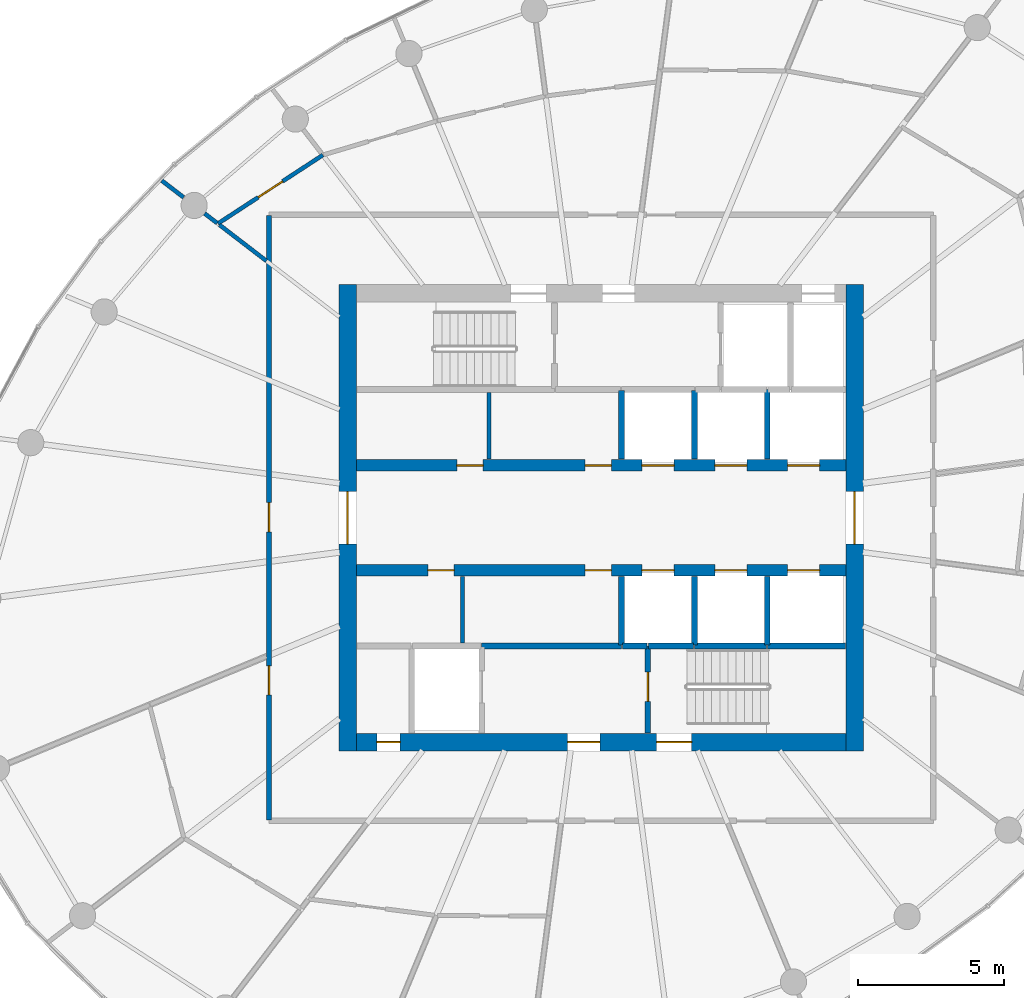
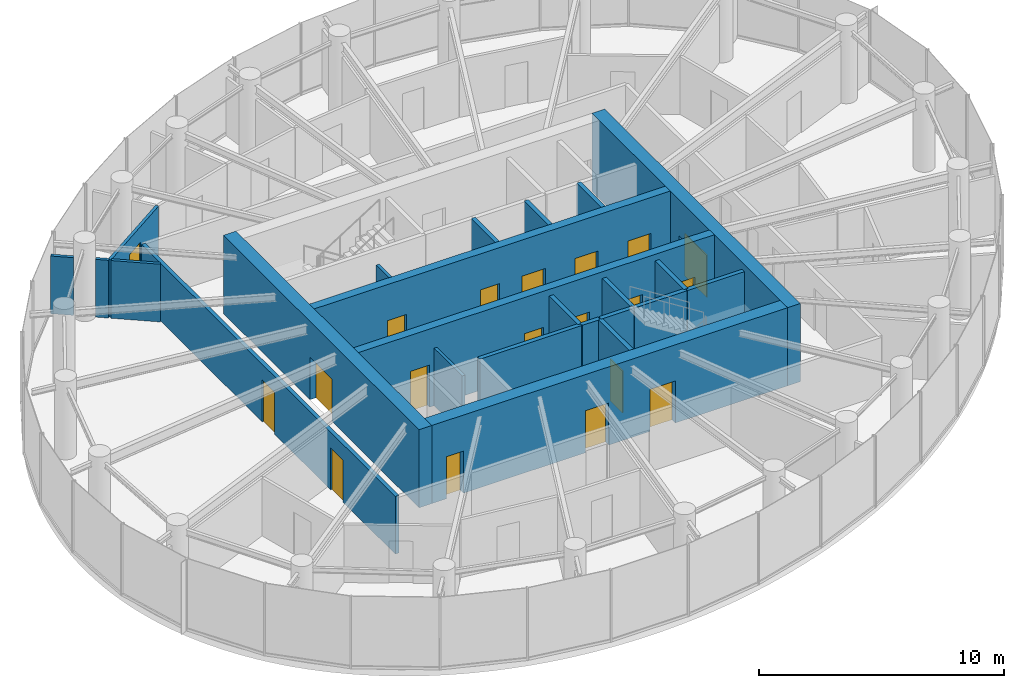
# One storey, part 10 of 14: 24 walls, 19 doors, 19 openings.
"""IFC4 building model written with IfcOpenShell, lengths in metres."""

from ifc_helpers import new_model, si_unit, direction, frame, frame_2d, origin, place, context, subcontext, project, spatial, rectangle, extrude, source, transform, mapped, material, layer, layer_set, type_object, element, fill, save


model = new_model("IFC4")

# Units and contexts
model_context = context("Model", 3, precision=1e-05, world=origin(), true_north=direction((0.0, 1.0)))
body_context = subcontext(model_context, "Body", "Model", "MODEL_VIEW")
ifc_project = project(units=[si_unit("LENGTHUNIT", "METRE"), si_unit("AREAUNIT", "SQUARE_METRE"), si_unit("VOLUMEUNIT", "CUBIC_METRE"), si_unit("PLANEANGLEUNIT", "RADIAN"), si_unit("MASSUNIT", "GRAM", prefix="KILO")], contexts=[model_context])

# Site, building, storey
site_placement = place(None, origin())
site = spatial("IfcSite", under=ifc_project, at=site_placement, CompositionType="ELEMENT")
building_placement = place(site_placement, origin())
building = spatial("IfcBuilding", under=site, at=building_placement, Name="Spindrift Exchange Tower", CompositionType="ELEMENT")
storey_placement = place(building_placement, frame((0.0, 0.0, 207.199951171875)))
storey = spatial("IfcBuildingStorey", under=building, at=storey_placement, Name="L50", CompositionType="ELEMENT", Elevation=207.199951171875)

# Wall, opening, door
ifc_material_1 = material(Name="Concrete 50 MPa", Category="concrete")
ifc_layer_1 = layer(ifc_material_1, 0.60009765625)
ifc_layer_set_1 = layer_set([ifc_layer_1], Name="RC Core Wall 600 Concrete 50 MPa")
wall_type_1 = type_object("IfcWallType", Name="RC Core Wall 600 Concrete 50 MPa", PredefinedType="SHEAR", material=ifc_layer_set_1)
wall_1_placement = place(storey_placement, frame((60.699951171875, 40.0, 0.0), z_axis=(0.0, 0.0, 1.0), x_axis=(0.0, 1.0, 0.0)))
wall_1 = element("IfcWall", 1, at=wall_1_placement, inside=storey, type_object=wall_type_1, Name="Core wall E L50", PredefinedType="SHEAR", context=body_context, shape_type="SweptSolid", body=[
    extrude(rectangle(XDim=16.0, YDim=0.60009765625, at=frame_2d((8.0, 0.0))), origin(), (0.0, 0.0, 1.0), 3.900146484375),
])
opening_1_placement = place(wall_1_placement, frame((7.10009765625, 0.0, 0.0)))
opening_1 = element("IfcOpeningElement", 2, at=opening_1_placement, cuts=wall_1, Name="Opening L50-D2", PredefinedType="OPENING", context=body_context, shape_type="SweptSolid", body=[
    extrude(rectangle(XDim=1.800048828125, YDim=2.10009765625, at=frame_2d((0.89990234375, 1.050048828125))), frame((0.0, 0.31005859375, 0.0), z_axis=(0.0, -1.0, 0.0), x_axis=(1.0, 0.0, 0.0)), (0.0, 0.0, 1.0), 0.6201171875),
])
ifc_material_2 = material(Name="Timber-core fire door", Category="wood")
door_type_1 = type_object("IfcDoorType", Name="DR-LOBBY-1800", OperationType="NOTDEFINED", PredefinedType="DOOR", material=ifc_material_2)
shared_shape_1 = source(origin(), body_context, "Body", "SweptSolid", [
    extrude(rectangle(XDim=1.800048828125, YDim=2.10009765625, at=frame_2d((0.89990234375, 1.050048828125))), frame((0.0, 0.02490234375, 0.0), z_axis=(0.0, -1.0, 0.0), x_axis=(1.0, 0.0, 0.0)), (0.0, 0.0, 1.0), 0.050048828125),
])
door_1_placement = place(opening_1_placement, origin())
door_1 = element("IfcDoor", 3, at=door_1_placement, inside=storey, type_object=door_type_1, Name="L50 Lobby door 2", OperationType="SINGLE_SWING_RIGHT", OverallHeight=2.10009765625, OverallWidth=1.800048828125, PredefinedType="DOOR", context=body_context, shape_type="MappedRepresentation", body=[
    mapped(shared_shape_1, transform((0.0, 0.0, 0.0), scale=1.0)),
])
fill(opening_1, door_1)

wall_2_placement = place(storey_placement, frame((43.300048828125, 56.0, 0.0), z_axis=(0.0, 0.0, 1.0), x_axis=(0.0, -1.0, 0.0)))
wall_2 = element("IfcWall", 4, at=wall_2_placement, inside=storey, type_object=wall_type_1, Name="Core wall W L50", PredefinedType="SHEAR", context=body_context, shape_type="SweptSolid", body=[
    extrude(rectangle(XDim=16.0, YDim=0.60009765625, at=frame_2d((8.0, 0.0))), origin(), (0.0, 0.0, 1.0), 3.900146484375),
])
opening_2_placement = place(wall_2_placement, frame((7.10009765625, 0.0, 0.0)))
opening_2 = element("IfcOpeningElement", 5, at=opening_2_placement, cuts=wall_2, Name="Opening L50-D1", PredefinedType="OPENING", context=body_context, shape_type="SweptSolid", body=[
    extrude(rectangle(XDim=1.800048828125, YDim=2.10009765625, at=frame_2d((0.89990234375, 1.050048828125))), frame((0.0, 0.31005859375, 0.0), z_axis=(0.0, -1.0, 0.0), x_axis=(1.0, 0.0, 0.0)), (0.0, 0.0, 1.0), 0.6201171875),
])
door_2_placement = place(opening_2_placement, origin())
door_2 = element("IfcDoor", 6, at=door_2_placement, inside=storey, type_object=door_type_1, Name="L50 Lobby door 1", OperationType="SINGLE_SWING_LEFT", OverallHeight=2.10009765625, OverallWidth=1.800048828125, PredefinedType="DOOR", context=body_context, shape_type="MappedRepresentation", body=[
    mapped(shared_shape_1, transform((0.0, 0.0, 0.0), scale=1.0)),
])
fill(opening_2, door_2)

# Wall, openings, doors
wall_3_placement = place(storey_placement, frame((43.60009765625, 40.300048828125, 0.0), z_axis=(0.0, 0.0, 1.0), x_axis=(1.0, 0.0, 0.0)))
wall_3 = element("IfcWall", 7, at=wall_3_placement, inside=storey, type_object=wall_type_1, Name="Core wall S L50", PredefinedType="SHEAR", context=body_context, shape_type="SweptSolid", body=[
    extrude(rectangle(XDim=16.7998046875, YDim=0.60009765625, at=frame_2d((8.39990234375, 0.0))), origin(), (0.0, 0.0, 1.0), 3.900146484375),
])
opening_3_placement = place(wall_3_placement, frame((10.300048828125, 0.0, 0.0)))
opening_3 = element("IfcOpeningElement", 8, at=opening_3_placement, cuts=wall_3, Name="Opening L50-D15", PredefinedType="OPENING", context=body_context, shape_type="SweptSolid", body=[
    extrude(rectangle(XDim=1.199951171875, YDim=2.10009765625, at=frame_2d((0.60009765625, 1.050048828125))), frame((0.0, 0.31005859375, 0.0), z_axis=(0.0, -1.0, 0.0), x_axis=(1.0, 0.0, 0.0)), (0.0, 0.0, 1.0), 0.6201171875),
])
opening_4_placement = place(wall_3_placement, frame((7.25, 0.0, 0.0)))
opening_4 = element("IfcOpeningElement", 9, at=opening_4_placement, cuts=wall_3, Name="Opening L50-D17", PredefinedType="OPENING", context=body_context, shape_type="SweptSolid", body=[
    extrude(rectangle(XDim=1.10009765625, YDim=2.10009765625, at=frame_2d((0.550048828125, 1.050048828125))), frame((0.0, 0.31005859375, 0.0), z_axis=(0.0, -1.0, 0.0), x_axis=(1.0, 0.0, 0.0)), (0.0, 0.0, 1.0), 0.6201171875),
])
opening_5_placement = place(wall_3_placement, frame((0.699951171875, 0.0, 0.0)))
opening_5 = element("IfcOpeningElement", 10, at=opening_5_placement, cuts=wall_3, Name="Opening L50-D18", PredefinedType="OPENING", context=body_context, shape_type="SweptSolid", body=[
    extrude(rectangle(XDim=0.800048828125, YDim=2.10009765625, at=frame_2d((0.39990234375, 1.050048828125))), frame((0.0, 0.31005859375, 0.0), z_axis=(0.0, -1.0, 0.0), x_axis=(1.0, 0.0, 0.0)), (0.0, 0.0, 1.0), 0.6201171875),
])
ifc_material_3 = material(Name="Steel fire door", Category="steel")
door_type_2 = type_object("IfcDoorType", Name="DR-STAIR-1200", OperationType="NOTDEFINED", PredefinedType="DOOR", material=ifc_material_3)
shared_shape_2 = source(origin(), body_context, "Body", "SweptSolid", [
    extrude(rectangle(XDim=1.199951171875, YDim=2.10009765625, at=frame_2d((0.60009765625, 1.050048828125))), frame((0.0, 0.02490234375, 0.0), z_axis=(0.0, -1.0, 0.0), x_axis=(1.0, 0.0, 0.0)), (0.0, 0.0, 1.0), 0.050048828125),
])
door_3_placement = place(opening_3_placement, origin())
door_3 = element("IfcDoor", 11, at=door_3_placement, inside=storey, type_object=door_type_2, Name="L50 Stair door 15", OperationType="SINGLE_SWING_RIGHT", OverallHeight=2.10009765625, OverallWidth=1.199951171875, PredefinedType="DOOR", context=body_context, shape_type="MappedRepresentation", body=[
    mapped(shared_shape_2, transform((0.0, 0.0, 0.0), scale=1.0)),
])
fill(opening_3, door_3)
door_type_3 = type_object("IfcDoorType", Name="DR-LOBBY-1100", OperationType="NOTDEFINED", PredefinedType="DOOR", material=ifc_material_2)
shared_shape_3 = source(origin(), body_context, "Body", "SweptSolid", [
    extrude(rectangle(XDim=1.10009765625, YDim=2.10009765625, at=frame_2d((0.550048828125, 1.050048828125))), frame((0.0, 0.02490234375, 0.0), z_axis=(0.0, -1.0, 0.0), x_axis=(1.0, 0.0, 0.0)), (0.0, 0.0, 1.0), 0.050048828125),
])
door_4_placement = place(opening_4_placement, origin())
door_4 = element("IfcDoor", 12, at=door_4_placement, inside=storey, type_object=door_type_3, Name="L50 Lobby door 17", OperationType="SINGLE_SWING_RIGHT", OverallHeight=2.10009765625, OverallWidth=1.10009765625, PredefinedType="DOOR", context=body_context, shape_type="MappedRepresentation", body=[
    mapped(shared_shape_3, transform((0.0, 0.0, 0.0), scale=1.0)),
])
fill(opening_4, door_4)
ifc_material_4 = material(Name="Steel access door", Category="steel")
door_type_4 = type_object("IfcDoorType", Name="DR-RISER-800", OperationType="NOTDEFINED", PredefinedType="DOOR", material=ifc_material_4)
shared_shape_4 = source(origin(), body_context, "Body", "SweptSolid", [
    extrude(rectangle(XDim=0.800048828125, YDim=2.10009765625, at=frame_2d((0.39990234375, 1.050048828125))), frame((0.0, 0.02490234375, 0.0), z_axis=(0.0, -1.0, 0.0), x_axis=(1.0, 0.0, 0.0)), (0.0, 0.0, 1.0), 0.050048828125),
])
door_5_placement = place(opening_5_placement, origin())
door_5 = element("IfcDoor", 13, at=door_5_placement, inside=storey, type_object=door_type_4, Name="L50 Riser door 18", OperationType="SINGLE_SWING_LEFT", OverallHeight=2.10009765625, OverallWidth=0.800048828125, PredefinedType="DOOR", context=body_context, shape_type="MappedRepresentation", body=[
    mapped(shared_shape_4, transform((0.0, 0.0, 0.0), scale=1.0)),
])
fill(opening_5, door_5)

ifc_layer_2 = layer(ifc_material_1, 0.39990234375)
ifc_layer_set_2 = layer_set([ifc_layer_2], Name="RC Spine Wall 400 Concrete 50 MPa")
wall_type_2 = type_object("IfcWallType", Name="RC Spine Wall 400 Concrete 50 MPa", PredefinedType="SHEAR", material=ifc_layer_set_2)
wall_4_placement = place(storey_placement, frame((43.60009765625, 49.800048828125, 0.0), z_axis=(0.0, 0.0, 1.0), x_axis=(1.0, 0.0, 0.0)))
wall_4 = element("IfcWall", 14, at=wall_4_placement, inside=storey, type_object=wall_type_2, Name="Core spine wall N L50", PredefinedType="SHEAR", context=body_context, shape_type="SweptSolid", body=[
    extrude(rectangle(XDim=16.7998046875, YDim=0.39990234375, at=frame_2d((8.39990234375, 0.0))), origin(), (0.0, 0.0, 1.0), 3.900146484375),
])
opening_6_placement = place(wall_4_placement, frame((9.800048828125, 0.0, 0.0)))
opening_6 = element("IfcOpeningElement", 15, at=opening_6_placement, cuts=wall_4, Name="Opening L50-D3", PredefinedType="OPENING", context=body_context, shape_type="SweptSolid", body=[
    extrude(rectangle(XDim=1.10009765625, YDim=2.10009765625, at=frame_2d((0.550048828125, 1.050048828125))), frame((0.0, 0.2099609375, 0.0), z_axis=(0.0, -1.0, 0.0), x_axis=(1.0, 0.0, 0.0)), (0.0, 0.0, 1.0), 0.419921875),
])
opening_7_placement = place(wall_4_placement, frame((12.300048828125, 0.0, 0.0)))
opening_7 = element("IfcOpeningElement", 16, at=opening_7_placement, cuts=wall_4, Name="Opening L50-D4", PredefinedType="OPENING", context=body_context, shape_type="SweptSolid", body=[
    extrude(rectangle(XDim=1.10009765625, YDim=2.10009765625, at=frame_2d((0.550048828125, 1.050048828125))), frame((0.0, 0.2099609375, 0.0), z_axis=(0.0, -1.0, 0.0), x_axis=(1.0, 0.0, 0.0)), (0.0, 0.0, 1.0), 0.419921875),
])
opening_8_placement = place(wall_4_placement, frame((14.800048828125, 0.0, 0.0)))
opening_8 = element("IfcOpeningElement", 17, at=opening_8_placement, cuts=wall_4, Name="Opening L50-D5", PredefinedType="OPENING", context=body_context, shape_type="SweptSolid", body=[
    extrude(rectangle(XDim=1.10009765625, YDim=2.10009765625, at=frame_2d((0.550048828125, 1.050048828125))), frame((0.0, 0.2099609375, 0.0), z_axis=(0.0, -1.0, 0.0), x_axis=(1.0, 0.0, 0.0)), (0.0, 0.0, 1.0), 0.419921875),
])
opening_9_placement = place(wall_4_placement, frame((3.449951171875, 0.0, 0.0)))
opening_9 = element("IfcOpeningElement", 18, at=opening_9_placement, cuts=wall_4, Name="Opening L50-D45", PredefinedType="OPENING", context=body_context, shape_type="SweptSolid", body=[
    extrude(rectangle(XDim=0.89990234375, YDim=2.10009765625, at=frame_2d((0.449951171875, 1.050048828125))), frame((0.0, 0.2099609375, 0.0), z_axis=(0.0, -1.0, 0.0), x_axis=(1.0, 0.0, 0.0)), (0.0, 0.0, 1.0), 0.419921875),
])
opening_10_placement = place(wall_4_placement, frame((7.85009765625, 0.0, 0.0)))
opening_10 = element("IfcOpeningElement", 19, at=opening_10_placement, cuts=wall_4, Name="Opening L50-D46", PredefinedType="OPENING", context=body_context, shape_type="SweptSolid", body=[
    extrude(rectangle(XDim=0.89990234375, YDim=2.10009765625, at=frame_2d((0.449951171875, 1.050048828125))), frame((0.0, 0.2099609375, 0.0), z_axis=(0.0, -1.0, 0.0), x_axis=(1.0, 0.0, 0.0)), (0.0, 0.0, 1.0), 0.419921875),
])
ifc_material_5 = material(Name="Stainless steel landing door", Category="steel")
door_type_5 = type_object("IfcDoorType", Name="DR-LANDING-1100-SL", OperationType="DOUBLE_DOOR_SLIDING", PredefinedType="USERDEFINED", material=ifc_material_5)
shared_shape_5 = source(origin(), body_context, "Body", "SweptSolid", [
    extrude(rectangle(XDim=1.10009765625, YDim=2.10009765625, at=frame_2d((0.550048828125, 1.050048828125))), frame((0.0, 0.02490234375, 0.0), z_axis=(0.0, -1.0, 0.0), x_axis=(1.0, 0.0, 0.0)), (0.0, 0.0, 1.0), 0.050048828125),
])
door_6_placement = place(opening_6_placement, origin())
door_6 = element("IfcDoor", 20, at=door_6_placement, inside=storey, type_object=door_type_5, Name="L50 Lift landing door 3", ObjectType="LANDING DOOR", OperationType="DOUBLE_DOOR_SLIDING", OverallHeight=2.10009765625, OverallWidth=1.10009765625, PredefinedType="USERDEFINED", context=body_context, shape_type="MappedRepresentation", body=[
    mapped(shared_shape_5, transform((0.0, 0.0, 0.0), scale=1.0)),
])
fill(opening_6, door_6)
door_7_placement = place(opening_7_placement, origin())
door_7 = element("IfcDoor", 21, at=door_7_placement, inside=storey, type_object=door_type_5, Name="L50 Lift landing door 4", ObjectType="LANDING DOOR", OperationType="DOUBLE_DOOR_SLIDING", OverallHeight=2.10009765625, OverallWidth=1.10009765625, PredefinedType="USERDEFINED", context=body_context, shape_type="MappedRepresentation", body=[
    mapped(shared_shape_5, transform((0.0, 0.0, 0.0), scale=1.0)),
])
fill(opening_7, door_7)
door_8_placement = place(opening_8_placement, origin())
door_8 = element("IfcDoor", 22, at=door_8_placement, inside=storey, type_object=door_type_5, Name="L50 Lift landing door 5", ObjectType="LANDING DOOR", OperationType="DOUBLE_DOOR_SLIDING", OverallHeight=2.10009765625, OverallWidth=1.10009765625, PredefinedType="USERDEFINED", context=body_context, shape_type="MappedRepresentation", body=[
    mapped(shared_shape_5, transform((0.0, 0.0, 0.0), scale=1.0)),
])
fill(opening_8, door_8)
door_type_6 = type_object("IfcDoorType", Name="DR-RISER-900", OperationType="NOTDEFINED", PredefinedType="DOOR", material=ifc_material_4)
shared_shape_6 = source(origin(), body_context, "Body", "SweptSolid", [
    extrude(rectangle(XDim=0.89990234375, YDim=2.10009765625, at=frame_2d((0.449951171875, 1.050048828125))), frame((0.0, 0.02490234375, 0.0), z_axis=(0.0, -1.0, 0.0), x_axis=(1.0, 0.0, 0.0)), (0.0, 0.0, 1.0), 0.050048828125),
])
door_9_placement = place(opening_9_placement, origin())
door_9 = element("IfcDoor", 23, at=door_9_placement, inside=storey, type_object=door_type_6, Name="L50 Riser door 45", OperationType="SINGLE_SWING_RIGHT", OverallHeight=2.10009765625, OverallWidth=0.89990234375, PredefinedType="DOOR", context=body_context, shape_type="MappedRepresentation", body=[
    mapped(shared_shape_6, transform((0.0, 0.0, 0.0), scale=1.0)),
])
fill(opening_9, door_9)
door_10_placement = place(opening_10_placement, origin())
door_10 = element("IfcDoor", 24, at=door_10_placement, inside=storey, type_object=door_type_6, Name="L50 Riser door 46", OperationType="SINGLE_SWING_LEFT", OverallHeight=2.10009765625, OverallWidth=0.89990234375, PredefinedType="DOOR", context=body_context, shape_type="MappedRepresentation", body=[
    mapped(shared_shape_6, transform((0.0, 0.0, 0.0), scale=1.0)),
])
fill(opening_10, door_10)

wall_5_placement = place(storey_placement, frame((43.60009765625, 46.199951171875, 0.0), z_axis=(0.0, 0.0, 1.0), x_axis=(1.0, 0.0, 0.0)))
wall_5 = element("IfcWall", 25, at=wall_5_placement, inside=storey, type_object=wall_type_2, Name="Core spine wall S L50", PredefinedType="SHEAR", context=body_context, shape_type="SweptSolid", body=[
    extrude(rectangle(XDim=16.7998046875, YDim=0.39990234375, at=frame_2d((8.39990234375, 0.0))), origin(), (0.0, 0.0, 1.0), 3.900146484375),
])
opening_11_placement = place(wall_5_placement, frame((9.800048828125, 0.0, 0.0)))
opening_11 = element("IfcOpeningElement", 26, at=opening_11_placement, cuts=wall_5, Name="Opening L50-D6", PredefinedType="OPENING", context=body_context, shape_type="SweptSolid", body=[
    extrude(rectangle(XDim=1.10009765625, YDim=2.10009765625, at=frame_2d((0.550048828125, 1.050048828125))), frame((0.0, 0.2099609375, 0.0), z_axis=(0.0, -1.0, 0.0), x_axis=(1.0, 0.0, 0.0)), (0.0, 0.0, 1.0), 0.419921875),
])
opening_12_placement = place(wall_5_placement, frame((12.300048828125, 0.0, 0.0)))
opening_12 = element("IfcOpeningElement", 27, at=opening_12_placement, cuts=wall_5, Name="Opening L50-D7", PredefinedType="OPENING", context=body_context, shape_type="SweptSolid", body=[
    extrude(rectangle(XDim=1.10009765625, YDim=2.10009765625, at=frame_2d((0.550048828125, 1.050048828125))), frame((0.0, 0.2099609375, 0.0), z_axis=(0.0, -1.0, 0.0), x_axis=(1.0, 0.0, 0.0)), (0.0, 0.0, 1.0), 0.419921875),
])
opening_13_placement = place(wall_5_placement, frame((14.800048828125, 0.0, 0.0)))
opening_13 = element("IfcOpeningElement", 28, at=opening_13_placement, cuts=wall_5, Name="Opening L50-D8", PredefinedType="OPENING", context=body_context, shape_type="SweptSolid", body=[
    extrude(rectangle(XDim=1.10009765625, YDim=2.10009765625, at=frame_2d((0.550048828125, 1.050048828125))), frame((0.0, 0.2099609375, 0.0), z_axis=(0.0, -1.0, 0.0), x_axis=(1.0, 0.0, 0.0)), (0.0, 0.0, 1.0), 0.419921875),
])
opening_14_placement = place(wall_5_placement, frame((2.449951171875, 0.0, 0.0)))
opening_14 = element("IfcOpeningElement", 29, at=opening_14_placement, cuts=wall_5, Name="Opening L50-D47", PredefinedType="OPENING", context=body_context, shape_type="SweptSolid", body=[
    extrude(rectangle(XDim=0.89990234375, YDim=2.10009765625, at=frame_2d((0.449951171875, 1.050048828125))), frame((0.0, 0.2099609375, 0.0), z_axis=(0.0, -1.0, 0.0), x_axis=(1.0, 0.0, 0.0)), (0.0, 0.0, 1.0), 0.419921875),
])
opening_15_placement = place(wall_5_placement, frame((7.85009765625, 0.0, 0.0)))
opening_15 = element("IfcOpeningElement", 30, at=opening_15_placement, cuts=wall_5, Name="Opening L50-D48", PredefinedType="OPENING", context=body_context, shape_type="SweptSolid", body=[
    extrude(rectangle(XDim=0.89990234375, YDim=2.10009765625, at=frame_2d((0.449951171875, 1.050048828125))), frame((0.0, 0.2099609375, 0.0), z_axis=(0.0, -1.0, 0.0), x_axis=(1.0, 0.0, 0.0)), (0.0, 0.0, 1.0), 0.419921875),
])
door_11_placement = place(opening_11_placement, origin())
door_11 = element("IfcDoor", 31, at=door_11_placement, inside=storey, type_object=door_type_5, Name="L50 Lift landing door 6", ObjectType="LANDING DOOR", OperationType="DOUBLE_DOOR_SLIDING", OverallHeight=2.10009765625, OverallWidth=1.10009765625, PredefinedType="USERDEFINED", context=body_context, shape_type="MappedRepresentation", body=[
    mapped(shared_shape_5, transform((0.0, 0.0, 0.0), scale=1.0)),
])
fill(opening_11, door_11)
door_12_placement = place(opening_12_placement, origin())
door_12 = element("IfcDoor", 32, at=door_12_placement, inside=storey, type_object=door_type_5, Name="L50 Lift landing door 7", ObjectType="LANDING DOOR", OperationType="DOUBLE_DOOR_SLIDING", OverallHeight=2.10009765625, OverallWidth=1.10009765625, PredefinedType="USERDEFINED", context=body_context, shape_type="MappedRepresentation", body=[
    mapped(shared_shape_5, transform((0.0, 0.0, 0.0), scale=1.0)),
])
fill(opening_12, door_12)
door_13_placement = place(opening_13_placement, origin())
door_13 = element("IfcDoor", 33, at=door_13_placement, inside=storey, type_object=door_type_5, Name="L50 Lift landing door 8", ObjectType="LANDING DOOR", OperationType="DOUBLE_DOOR_SLIDING", OverallHeight=2.10009765625, OverallWidth=1.10009765625, PredefinedType="USERDEFINED", context=body_context, shape_type="MappedRepresentation", body=[
    mapped(shared_shape_5, transform((0.0, 0.0, 0.0), scale=1.0)),
])
fill(opening_13, door_13)
door_14_placement = place(opening_14_placement, origin())
door_14 = element("IfcDoor", 34, at=door_14_placement, inside=storey, type_object=door_type_6, Name="L50 Riser door 47", OperationType="SINGLE_SWING_RIGHT", OverallHeight=2.10009765625, OverallWidth=0.89990234375, PredefinedType="DOOR", context=body_context, shape_type="MappedRepresentation", body=[
    mapped(shared_shape_6, transform((0.0, 0.0, 0.0), scale=1.0)),
])
fill(opening_14, door_14)
door_15_placement = place(opening_15_placement, origin())
door_15 = element("IfcDoor", 35, at=door_15_placement, inside=storey, type_object=door_type_6, Name="L50 Riser door 48", OperationType="SINGLE_SWING_LEFT", OverallHeight=2.10009765625, OverallWidth=0.89990234375, PredefinedType="DOOR", context=body_context, shape_type="MappedRepresentation", body=[
    mapped(shared_shape_6, transform((0.0, 0.0, 0.0), scale=1.0)),
])
fill(opening_15, door_15)

ifc_material_6 = material(Name="Fire-rated plasterboard partition", Category="gypsum")
ifc_layer_3 = layer(ifc_material_6, 0.179931640625)
ifc_layer_set_3 = layer_set([ifc_layer_3], Name="W-CORR-180")
wall_type_3 = type_object("IfcWallType", Name="W-CORR-180", PredefinedType="PARTITIONING", material=ifc_layer_set_3)
wall_6_placement = place(storey_placement, frame((40.60009765625, 37.6298828125, 0.0), z_axis=(0.0, 0.0, 1.0), x_axis=(0.0, 1.0, 0.0)))
wall_6 = element("IfcWall", 36, at=wall_6_placement, inside=storey, type_object=wall_type_3, Name="L50 Partition wall 30", PredefinedType="PARTITIONING", context=body_context, shape_type="SweptSolid", body=[
    extrude(rectangle(XDim=20.740234375, YDim=0.179931640625, at=frame_2d((10.3701171875, 0.0))), origin(), (0.0, 0.0, 1.0), 2.880126953125),
])
opening_16_placement = place(wall_6_placement, frame((9.889892578125, 0.0, 0.0)))
opening_16 = element("IfcOpeningElement", 37, at=opening_16_placement, cuts=wall_6, Name="Opening L50-D33", PredefinedType="OPENING", context=body_context, shape_type="SweptSolid", body=[
    extrude(rectangle(XDim=1.0, YDim=2.10009765625, at=frame_2d((0.5, 1.050048828125))), frame((0.0, 0.099853515625, 0.0), z_axis=(0.0, -1.0, 0.0), x_axis=(1.0, 0.0, 0.0)), (0.0, 0.0, 1.0), 0.199951171875),
])
opening_17_placement = place(wall_6_placement, frame((4.2900390625, 0.0, 0.0)))
opening_17 = element("IfcOpeningElement", 38, at=opening_17_placement, cuts=wall_6, Name="Opening L50-D34", PredefinedType="OPENING", context=body_context, shape_type="SweptSolid", body=[
    extrude(rectangle(XDim=1.0, YDim=2.10009765625, at=frame_2d((0.5, 1.050048828125))), frame((0.0, 0.099853515625, 0.0), z_axis=(0.0, -1.0, 0.0), x_axis=(1.0, 0.0, 0.0)), (0.0, 0.0, 1.0), 0.199951171875),
])
door_type_7 = type_object("IfcDoorType", Name="DR-ROOM-1000", OperationType="NOTDEFINED", PredefinedType="DOOR", material=ifc_material_2)
shared_shape_7 = source(origin(), body_context, "Body", "SweptSolid", [
    extrude(rectangle(XDim=1.0, YDim=2.10009765625, at=frame_2d((0.5, 1.050048828125))), frame((0.0, 0.02490234375, 0.0), z_axis=(0.0, -1.0, 0.0), x_axis=(1.0, 0.0, 0.0)), (0.0, 0.0, 1.0), 0.050048828125),
])
door_16_placement = place(opening_16_placement, origin())
door_16 = element("IfcDoor", 39, at=door_16_placement, inside=storey, type_object=door_type_7, Name="L50 Door 33", OperationType="SINGLE_SWING_RIGHT", OverallHeight=2.10009765625, OverallWidth=1.0, PredefinedType="DOOR", context=body_context, shape_type="MappedRepresentation", body=[
    mapped(shared_shape_7, transform((0.0, 0.0, 0.0), scale=1.0)),
])
fill(opening_16, door_16)
door_17_placement = place(opening_17_placement, origin())
door_17 = element("IfcDoor", 40, at=door_17_placement, inside=storey, type_object=door_type_7, Name="L50 Door 34", OperationType="SINGLE_SWING_LEFT", OverallHeight=2.10009765625, OverallWidth=1.0, PredefinedType="DOOR", context=body_context, shape_type="MappedRepresentation", body=[
    mapped(shared_shape_7, transform((0.0, 0.0, 0.0), scale=1.0)),
])
fill(opening_17, door_17)

# Wall, opening, door
ifc_layer_4 = layer(ifc_material_6, 0.139892578125)
ifc_layer_set_4 = layer_set([ifc_layer_4], Name="W-PART-140")
wall_type_4 = type_object("IfcWallType", Name="W-PART-140", PredefinedType="PARTITIONING", material=ifc_layer_set_4)
wall_7_placement = place(storey_placement, frame((38.843017578125, 58.095703125, 0.0), z_axis=(0.0, 0.0, 1.0), x_axis=(0.83707650684, 0.547085844907, 0.0)))
wall_7 = element("IfcWall", 41, at=wall_7_placement, inside=storey, type_object=wall_type_4, Name="L50 Partition wall 46", PredefinedType="PARTITIONING", context=body_context, shape_type="SweptSolid", body=[
    extrude(rectangle(XDim=4.3046875, YDim=0.139892578125, at=frame_2d((2.15234375, 0.0))), origin(), (0.0, 0.0, 1.0), 2.880126953125),
])
opening_18_placement = place(wall_7_placement, frame((1.654541015625, 0.0, 0.0)))
opening_18 = element("IfcOpeningElement", 42, at=opening_18_placement, cuts=wall_7, Name="Opening L50-D32", PredefinedType="OPENING", context=body_context, shape_type="SweptSolid", body=[
    extrude(rectangle(XDim=1.0, YDim=2.10009765625, at=frame_2d((0.5, 1.050048828125))), frame((0.0, 0.079833984375, 0.0), z_axis=(0.0, -1.0, 0.0), x_axis=(1.0, 0.0, 0.0)), (0.0, 0.0, 1.0), 0.159912109375),
])
door_18_placement = place(opening_18_placement, origin())
door_18 = element("IfcDoor", 43, at=door_18_placement, inside=storey, type_object=door_type_7, Name="L50 Door 32", OperationType="SINGLE_SWING_LEFT", OverallHeight=2.10009765625, OverallWidth=1.0, PredefinedType="DOOR", context=body_context, shape_type="MappedRepresentation", body=[
    mapped(shared_shape_7, transform((0.0, 0.0, 0.0), scale=1.0)),
])
fill(opening_18, door_18)

# Walls
wall_8_placement = place(storey_placement, frame((38.3896484375, 58.443603515625, 0.0), z_axis=(0.0, 0.0, 1.0), x_axis=(0.793294129055, -0.608838586825, 0.0)))
element("IfcWall", 44, at=wall_8_placement, inside=storey, type_object=wall_type_4, Name="L50 Partition wall 68", PredefinedType="PARTITIONING", context=body_context, shape_type="SweptSolid", body=[
    extrude(rectangle(XDim=0.541259765625, YDim=0.139892578125, at=frame_2d((0.2705078125, 0.0))), origin(), (0.0, 0.0, 1.0), 2.880126953125),
])
wall_9_placement = place(storey_placement, frame((38.90185546875, 58.050537109375, 0.0), z_axis=(0.0, 0.0, 1.0), x_axis=(0.7933756116, -0.608732403374, 0.0)))
element("IfcWall", 45, at=wall_9_placement, inside=storey, type_object=wall_type_4, Name="L50 Partition wall 69", PredefinedType="PARTITIONING", context=body_context, shape_type="SweptSolid", body=[
    extrude(rectangle(XDim=2.02685546875, YDim=0.139892578125, at=frame_2d((1.013427734375, 0.0))), origin(), (0.0, 0.0, 1.0), 2.880126953125),
])
for number, where, z_axis, x_axis, name in (
    (46, (47.239990234375, 43.699951171875, 0.0), (0.0, 0.0, 1.0), (0.0, 1.0, 0.0), "L50 Partition wall 72"),
    (47, (48.14990234375, 50.010009765625, 0.0), (0.0, 0.0, 1.0), (0.0, 1.0, 0.0), "L50 Partition wall 73"),
):
    element("IfcWall", number, at=place(storey_placement, frame(where, z_axis=z_axis, x_axis=x_axis)), inside=storey, type_object=wall_type_4, Name=name, PredefinedType="PARTITIONING", context=body_context, shape_type="SweptSolid", body=[
        extrude(rectangle(XDim=2.2900390625, YDim=0.139892578125, at=frame_2d((1.14501953125, 0.0))), origin(), (0.0, 0.0, 1.0), 2.880126953125),
    ])
wall_10_placement = place(storey_placement, frame((37.66845703125, 58.9970703125, 0.0), z_axis=(0.0, 0.0, 1.0), x_axis=(-0.793344167197, 0.608773383431, 0.0)))
element("IfcWall", 48, at=wall_10_placement, inside=storey, type_object=wall_type_4, Name="L50 Partition wall 89", PredefinedType="PARTITIONING", context=body_context, shape_type="SweptSolid", body=[
    extrude(rectangle(XDim=0.9443359375, YDim=0.139892578125, at=frame_2d((0.47216796875, 0.0))), origin(), (0.0, 0.0, 1.0), 2.880126953125),
])
ifc_material_7 = material(Name="Concrete 40 MPa", Category="concrete")
ifc_layer_5 = layer(ifc_material_7, 0.199951171875)
ifc_layer_set_5 = layer_set([ifc_layer_5], Name="W-SHAFT-200")
wall_type_5 = type_object("IfcWallType", Name="W-SHAFT-200", PredefinedType="SOLIDWALL", material=ifc_layer_set_5)
wall_11_placement = place(storey_placement, frame((52.699951171875, 43.60009765625, 0.0), z_axis=(0.0, 0.0, 1.0), x_axis=(-1.0, 0.0, 0.0)))
element("IfcWall", 49, at=wall_11_placement, inside=storey, type_object=wall_type_5, Name="L50 Shaft wall 2", PredefinedType="SOLIDWALL", context=body_context, shape_type="SweptSolid", body=[
    extrude(rectangle(XDim=4.800048828125, YDim=0.199951171875, at=frame_2d((2.39990234375, 0.0))), origin(), (0.0, 0.0, 1.0), 3.580078125),
])
for number, where, z_axis, x_axis, name in (
    (50, (52.699951171875, 45.989990234375, 0.0), (0.0, 0.0, 1.0), (0.0, -1.0, 0.0), "L50 Shaft wall 13"),
    (51, (52.699951171875, 52.3701171875, 0.0), (0.0, 0.0, 1.0), (0.0, -1.0, 0.0), "L50 Shaft wall 14"),
    (52, (55.199951171875, 50.010009765625, 0.0), (0.0, 0.0, 1.0), (0.0, 1.0, 0.0), "L50 Shaft wall 16"),
):
    element("IfcWall", number, at=place(storey_placement, frame(where, z_axis=z_axis, x_axis=x_axis)), inside=storey, type_object=wall_type_5, Name=name, PredefinedType="SOLIDWALL", context=body_context, shape_type="SweptSolid", body=[
        extrude(rectangle(XDim=2.360107421875, YDim=0.199951171875, at=frame_2d((1.18017578125, 0.0))), origin(), (0.0, 0.0, 1.0), 3.580078125),
    ])
wall_12_placement = place(storey_placement, frame((57.699951171875, 50.010009765625, 0.0), z_axis=(0.0, 0.0, 1.0), x_axis=(0.0, 1.0, 0.0)))
element("IfcWall", 53, at=wall_12_placement, inside=storey, type_object=wall_type_5, Name="L50 Shaft wall 18", PredefinedType="SOLIDWALL", context=body_context, shape_type="SweptSolid", body=[
    extrude(rectangle(XDim=2.389892578125, YDim=0.199951171875, at=frame_2d((1.19482421875, 0.0))), origin(), (0.0, 0.0, 1.0), 3.580078125),
])

# Wall, opening, door
ifc_layer_6 = layer(ifc_material_7, 0.199951171875)
ifc_layer_set_6 = layer_set([ifc_layer_6], Name="W-SHAFT-200-LB")
wall_type_6 = type_object("IfcWallType", Name="W-SHAFT-200-LB", PredefinedType="SOLIDWALL", material=ifc_layer_set_6)
wall_13_placement = place(storey_placement, frame((53.60009765625, 43.60009765625, 0.0), z_axis=(0.0, 0.0, 1.0), x_axis=(0.0, -1.0, 0.0)))
wall_13 = element("IfcWall", 54, at=wall_13_placement, inside=storey, type_object=wall_type_6, Name="L50 Shaft wall 6", PredefinedType="SOLIDWALL", context=body_context, shape_type="SweptSolid", body=[
    extrude(rectangle(XDim=2.97998046875, YDim=0.199951171875, at=frame_2d((1.489990234375, 0.0))), origin(), (0.0, 0.0, 1.0), 3.580078125),
])
opening_19_placement = place(wall_13_placement, frame((0.89990234375, 0.0, 0.0)))
opening_19 = element("IfcOpeningElement", 55, at=opening_19_placement, cuts=wall_13, Name="Opening L50-D16", PredefinedType="OPENING", context=body_context, shape_type="SweptSolid", body=[
    extrude(rectangle(XDim=1.0, YDim=2.10009765625, at=frame_2d((0.5, 1.050048828125))), frame((0.0, 0.10986328125, 0.0), z_axis=(0.0, -1.0, 0.0), x_axis=(1.0, 0.0, 0.0)), (0.0, 0.0, 1.0), 0.219970703125),
])
door_type_8 = type_object("IfcDoorType", Name="DR-STAIR-1000", OperationType="NOTDEFINED", PredefinedType="DOOR", material=ifc_material_3)
shared_shape_8 = source(origin(), body_context, "Body", "SweptSolid", [
    extrude(rectangle(XDim=1.0, YDim=2.10009765625, at=frame_2d((0.5, 1.050048828125))), frame((0.0, 0.02490234375, 0.0), z_axis=(0.0, -1.0, 0.0), x_axis=(1.0, 0.0, 0.0)), (0.0, 0.0, 1.0), 0.050048828125),
])
door_19_placement = place(opening_19_placement, origin())
door_19 = element("IfcDoor", 56, at=door_19_placement, inside=storey, type_object=door_type_8, Name="L50 Stair door 16", OperationType="SINGLE_SWING_LEFT", OverallHeight=2.10009765625, OverallWidth=1.0, PredefinedType="DOOR", context=body_context, shape_type="MappedRepresentation", body=[
    mapped(shared_shape_8, transform((0.0, 0.0, 0.0), scale=1.0)),
])
fill(opening_19, door_19)

# Walls
wall_14_placement = place(storey_placement, frame((57.699951171875, 43.60009765625, 0.0), z_axis=(0.0, 0.0, 1.0), x_axis=(1.0, 0.0, 0.0)))
element("IfcWall", 57, at=wall_14_placement, inside=storey, type_object=wall_type_6, Name="L50 Shaft wall 9", PredefinedType="SOLIDWALL", context=body_context, shape_type="SweptSolid", body=[
    extrude(rectangle(XDim=2.679931640625, YDim=0.199951171875, at=frame_2d((1.33984375, 0.0))), origin(), (0.0, 0.0, 1.0), 3.580078125),
])
wall_15_placement = place(storey_placement, frame((55.199951171875, 43.60009765625, 0.0), z_axis=(0.0, 0.0, 1.0), x_axis=(1.0, 0.0, 0.0)))
element("IfcWall", 58, at=wall_15_placement, inside=storey, type_object=wall_type_6, Name="L50 Shaft wall 11", PredefinedType="SOLIDWALL", context=body_context, shape_type="SweptSolid", body=[
    extrude(rectangle(XDim=2.469970703125, YDim=0.199951171875, at=frame_2d((1.23486328125, 0.0))), origin(), (0.0, 0.0, 1.0), 3.580078125),
])
for number, where, z_axis, x_axis, name in (
    (59, (55.199951171875, 43.6298828125, 0.0), (0.0, 0.0, 1.0), (0.0, 1.0, 0.0), "L50 Shaft wall 15"),
    (60, (57.699951171875, 43.6298828125, 0.0), (0.0, 0.0, 1.0), (0.0, 1.0, 0.0), "L50 Shaft wall 17"),
):
    element("IfcWall", number, at=place(storey_placement, frame(where, z_axis=z_axis, x_axis=x_axis)), inside=storey, type_object=wall_type_6, Name=name, PredefinedType="SOLIDWALL", context=body_context, shape_type="SweptSolid", body=[
        extrude(rectangle(XDim=2.360107421875, YDim=0.199951171875, at=frame_2d((1.18017578125, 0.0))), origin(), (0.0, 0.0, 1.0), 3.580078125),
    ])
wall_16_placement = place(storey_placement, frame((53.6298828125, 43.60009765625, 0.0), z_axis=(0.0, 0.0, 1.0), x_axis=(1.0, 0.0, 0.0)))
element("IfcWall", 61, at=wall_16_placement, inside=storey, type_object=wall_type_6, Name="L50 Shaft wall 22", PredefinedType="SOLIDWALL", context=body_context, shape_type="SweptSolid", body=[
    extrude(rectangle(XDim=1.5400390625, YDim=0.199951171875, at=frame_2d((0.77001953125, 0.0))), origin(), (0.0, 0.0, 1.0), 3.580078125),
])
wall_17_placement = place(storey_placement, frame((52.72998046875, 43.60009765625, 0.0), z_axis=(0.0, 0.0, 1.0), x_axis=(1.0, 0.0, 0.0)))
element("IfcWall", 62, at=wall_17_placement, inside=storey, type_object=wall_type_6, Name="L50 Shaft wall 24", PredefinedType="SOLIDWALL", context=body_context, shape_type="SweptSolid", body=[
    extrude(rectangle(XDim=0.840087890625, YDim=0.199951171875, at=frame_2d((0.419921875, 0.0))), origin(), (0.0, 0.0, 1.0), 3.580078125),
])

save(model, "model.ifc")
